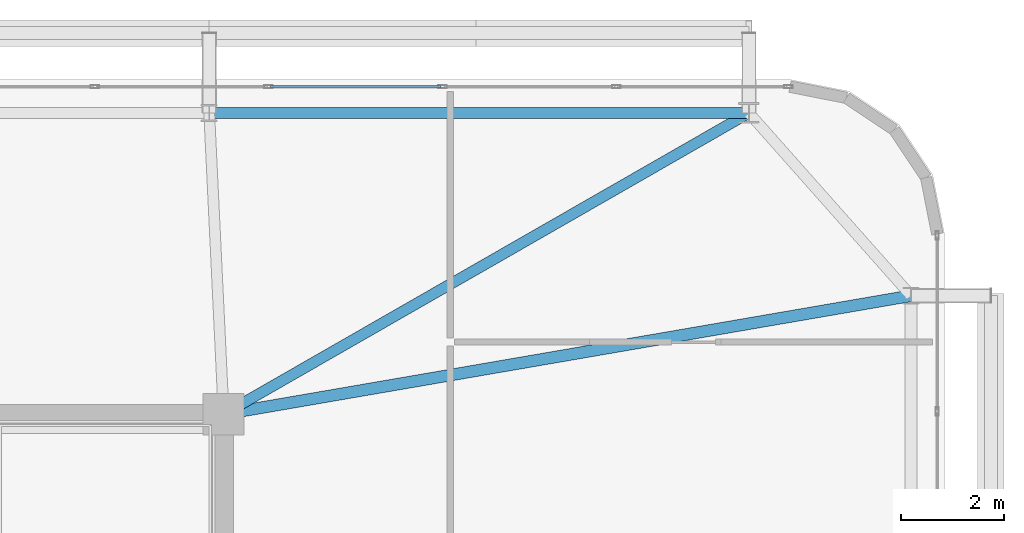
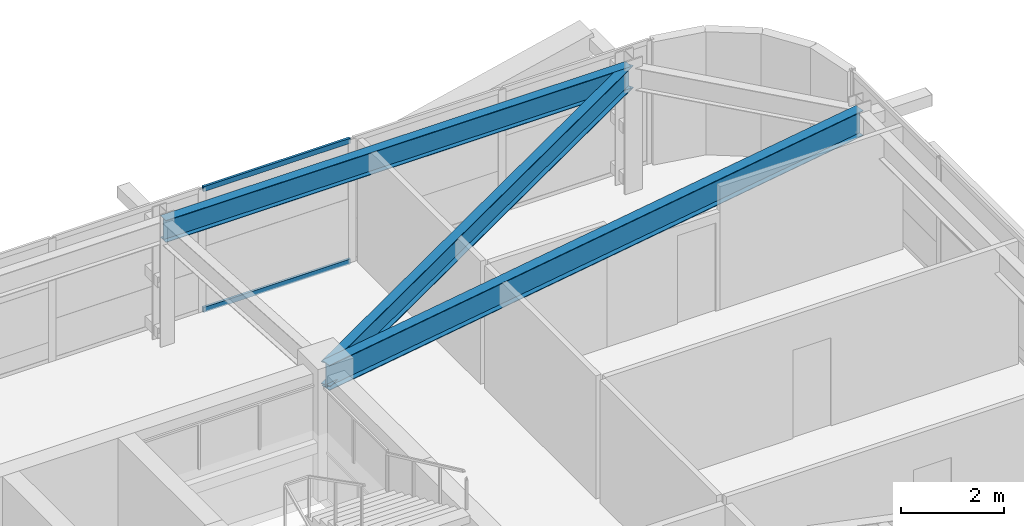
# One storey, part 39 of 59: 3 beams, 2 members, 1 element without a shape of its own.
"""IFC4 building model written with IfcOpenShell, lengths in metres."""

import ifcopenshell
import ifcopenshell.guid

model = None  # the IFC model being written
_history = None  # IfcOwnerHistory: only IFC2X3 demands one
_inside = {}  # id of a spatial element -> (the spatial element, [elements in it])
_under = {}  # id of a project, library or spatial element -> (it, [spatial elements below it])
_declared = {}  # id of a project -> (the project, [libraries it declares])
_typed = {}  # id of a type object -> (the type object, [elements of that type])
_made_of = {}  # id of a material, layer set ... -> (it, [elements and type objects made of it])


def new_model(schema):
    """Start an empty IFC model of exactly this schema.

    Asked for "IFC4X3", IfcOpenShell would pick the latest addendum, in which some entities
    have other attributes; the version numbers below select the first issue.
    IFC2X3 requires an IfcOwnerHistory on every rooted entity: one is made here for all.
    """
    global model, _history
    if schema == "IFC4X3":
        model = ifcopenshell.file(schema_version=(4, 3, 0, 0))
    else:
        model = ifcopenshell.file(schema=schema)
    _inside.clear()
    _under.clear()
    _declared.clear()
    _typed.clear()
    _made_of.clear()
    _history = None
    if model.schema == "IFC2X3":
        org = make("IfcOrganization", Name="unknown")
        user = make(
            "IfcPersonAndOrganization",
            ThePerson=make("IfcPerson", FamilyName="unknown"),
            TheOrganization=org,
        )
        app = make(
            "IfcApplication",
            ApplicationDeveloper=org,
            Version="unknown",
            ApplicationFullName="unknown",
            ApplicationIdentifier="unknown",
        )
        _history = make(
            "IfcOwnerHistory",
            OwningUser=user,
            OwningApplication=app,
            ChangeAction="ADDED",
            CreationDate=0,
        )
    return model


def make(cls, **values):
    """One entity of the class cls with the attributes given. An attribute that is None is left unset."""
    return model.create_entity(
        cls, **{name: value for name, value in values.items() if value is not None}
    )


def rooted(cls, **values):
    """An entity with a GlobalId (a new one), such as an element, a storey or a relation."""
    return make(cls, GlobalId=ifcopenshell.guid.new(), OwnerHistory=_history, **values)


def si_unit(unit_type, name, prefix=None):
    """IfcSIUnit, for example si_unit("LENGTHUNIT", "METRE", prefix="MILLI")."""
    return make("IfcSIUnit", UnitType=unit_type, Prefix=prefix, Name=name)


def assignment(units):
    """IfcUnitAssignment: the units of a project."""
    return None if units is None else make("IfcUnitAssignment", Units=units)


def point(xyz):
    """IfcCartesianPoint."""
    return None if xyz is None else make("IfcCartesianPoint", Coordinates=xyz)


def direction(xyz):
    """IfcDirection."""
    return None if xyz is None else make("IfcDirection", DirectionRatios=xyz)


def frame(location, z_axis=None, x_axis=None):
    """IfcAxis2Placement3D, a coordinate frame: its origin and axes. An axis left out is left unset."""
    return make(
        "IfcAxis2Placement3D",
        Location=point(location),
        Axis=direction(z_axis),
        RefDirection=direction(x_axis),
    )


def frame_2d(location, x_axis=None):
    """IfcAxis2Placement2D, a coordinate frame in the plane: its origin and x axis."""
    return make(
        "IfcAxis2Placement2D", Location=point(location), RefDirection=direction(x_axis)
    )


def origin():
    """The frame at (0, 0, 0) with its axes left unset."""
    return frame((0.0, 0.0, 0.0))


def origin_2d():
    """The frame at (0, 0) in the plane with its x axis left unset."""
    return frame_2d((0.0, 0.0))


def place(relative_to, where):
    """IfcLocalPlacement: puts the frame where relative to a parent placement (None: the world)."""
    return make(
        "IfcLocalPlacement", PlacementRelTo=relative_to, RelativePlacement=where
    )


def context(
    kind, dimensions, precision=None, world=None, true_north=None, identifier=None
):
    """IfcGeometricRepresentationContext, for example the 3D "Model" context."""
    return make(
        "IfcGeometricRepresentationContext",
        ContextIdentifier=identifier,
        ContextType=kind,
        CoordinateSpaceDimension=dimensions,
        Precision=precision,
        WorldCoordinateSystem=world,
        TrueNorth=true_north,
    )


def subcontext(parent, identifier, kind, view, scale=None):
    """IfcGeometricRepresentationSubContext, for example "Body" below "Model"."""
    return make(
        "IfcGeometricRepresentationSubContext",
        ContextIdentifier=identifier,
        ContextType=kind,
        ParentContext=parent,
        TargetScale=scale,
        TargetView=view,
    )


def project(units=None, contexts=None):
    """IfcProject with its units and contexts."""
    return rooted(
        "IfcProject",
        Name="project",
        RepresentationContexts=contexts,
        UnitsInContext=assignment(units),
    )


def spatial(cls, under=None, at=None, **own):
    """A site, building, storey or space (cls), placed at a placement, below another one or the project."""
    s = rooted(cls, ObjectPlacement=at, **own)
    if under is not None:
        _under.setdefault(under.id(), (under, []))[1].append(s)
    return s


def profile(cls, at=None, kind="AREA", **sizes):
    """A parametric profile (cls). Its sizes go by their IFC names, for example OverallWidth=200.0."""
    return make(cls, ProfileType=kind, Position=at, **sizes)


def hollow_rectangle(**sizes):
    """IfcRectangleHollowProfileDef."""
    return profile("IfcRectangleHollowProfileDef", **sizes)


def i_section(**sizes):
    """IfcIShapeProfileDef."""
    return profile("IfcIShapeProfileDef", **sizes)


def extrude(swept, where, along, depth):
    """IfcExtrudedAreaSolid: the profile swept, set in the frame where, extruded along a direction by depth."""
    return make(
        "IfcExtrudedAreaSolid",
        SweptArea=swept,
        Position=where,
        ExtrudedDirection=direction(along),
        Depth=depth,
    )


def shape(context_of_items, identifier, shape_type, items):
    """IfcShapeRepresentation: the items that make up one representation, for example the "Body"."""
    return make(
        "IfcShapeRepresentation",
        ContextOfItems=context_of_items,
        RepresentationIdentifier=identifier,
        RepresentationType=shape_type,
        Items=items,
    )


def source(mapping_origin, context_of_items, identifier, shape_type, items):
    """IfcRepresentationMap: a shape defined once, which mapped items show again and again."""
    return make(
        "IfcRepresentationMap",
        MappingOrigin=mapping_origin,
        MappedRepresentation=shape(context_of_items, identifier, shape_type, items),
    )


def transform(
    local_origin,
    x_axis=None,
    y_axis=None,
    z_axis=None,
    scale=None,
    scale2=None,
    scale3=None,
    uniform=True,
):
    """IfcCartesianTransformationOperator3D, or its non-uniform kind. x_axis, y_axis, z_axis: its Axis1, 2, 3."""
    if uniform:
        return make(
            "IfcCartesianTransformationOperator3D",
            Axis1=direction(x_axis),
            Axis2=direction(y_axis),
            LocalOrigin=point(local_origin),
            Scale=scale,
            Axis3=direction(z_axis),
        )
    return make(
        "IfcCartesianTransformationOperator3DnonUniform",
        Axis1=direction(x_axis),
        Axis2=direction(y_axis),
        LocalOrigin=point(local_origin),
        Scale=scale,
        Axis3=direction(z_axis),
        Scale2=scale2,
        Scale3=scale3,
    )


def mapped(mapping_source, mapping_target):
    """IfcMappedItem: shows the shape of a source again, moved by a transform."""
    return make(
        "IfcMappedItem", MappingSource=mapping_source, MappingTarget=mapping_target
    )


def material(Name=None, Category=None):
    """IfcMaterial."""
    return make("IfcMaterial", Name=Name, Category=Category)


def layer(
    of_material, thickness, ventilated=None, Name=None, Category=None, Priority=None
):
    """IfcMaterialLayer: one layer of a wall or slab, of a material (None: an air gap)."""
    return make(
        "IfcMaterialLayer",
        Material=of_material,
        LayerThickness=thickness,
        IsVentilated=ventilated,
        Name=Name,
        Category=Category,
        Priority=Priority,
    )


def layer_set(layers, Name=None):
    """IfcMaterialLayerSet."""
    return make("IfcMaterialLayerSet", MaterialLayers=layers, LayerSetName=Name)


def material_profile(
    of_material, cross_section, Name=None, Category=None, Priority=None
):
    """IfcMaterialProfile: a cross section and its material."""
    return make(
        "IfcMaterialProfile",
        Name=Name,
        Material=of_material,
        Profile=cross_section,
        Priority=Priority,
        Category=Category,
    )


def profile_set(profiles, Name=None, composite=None):
    """IfcMaterialProfileSet."""
    return make(
        "IfcMaterialProfileSet",
        Name=Name,
        MaterialProfiles=profiles,
        CompositeProfile=composite,
    )


def made_of(thing, what):
    """Note that an element or type object is made of a material, layer set ...; save() writes the relation."""
    if what is not None:
        _made_of.setdefault(what.id(), (what, []))[1].append(thing)
    return thing


def type_object(cls, material=None, **own):
    """A type object (cls), such as IfcWallType, which elements share."""
    return made_of(rooted(cls, **own), material)


def element(
    cls,
    number,
    at=None,
    inside=None,
    cuts=None,
    type_object=None,
    material=None,
    context=None,
    identifier="Body",
    shape_type=None,
    held_by="IfcProductDefinitionShape",
    body=None,
    shapes=None,
    **own,
):
    """One element of the class cls, such as IfcWall. Its Tag is "e" and its number.

    at: its placement. inside: the storey or other place that contains it. cuts: it is an
    opening in that element (IfcRelVoidsElement). A single representation is given by context,
    identifier, shape_type and body (its items); several are given by shapes. held_by: the class
    of the entity that holds the representations. save() writes the other relations.
    """
    e = rooted(cls, Tag="e%d" % number, ObjectPlacement=at, **own)
    if body is not None:
        shapes = [shape(context, identifier, shape_type, body)]
    if shapes is not None:
        e.Representation = make(held_by, Representations=shapes)
    if inside is not None:
        _inside.setdefault(inside.id(), (inside, []))[1].append(e)
    if cuts is not None:
        rooted(
            "IfcRelVoidsElement", RelatingBuildingElement=cuts, RelatedOpeningElement=e
        )
    if type_object is not None:
        _typed.setdefault(type_object.id(), (type_object, []))[1].append(e)
    return made_of(e, material)


def aggregate(whole, parts):
    """IfcRelAggregates: a whole, such as a stair, and the parts it consists of."""
    return rooted("IfcRelAggregates", RelatingObject=whole, RelatedObjects=parts)


def save(model, path):
    """Write the relations noted so far, then the file.

    IfcRelAggregates (storeys below a building ...), IfcRelContainedInSpatialStructure (elements
    in a storey), IfcRelDefinesByType, IfcRelAssociatesMaterial and IfcRelDeclares: one each for
    every whole, place, type object, material and project.
    """
    for whole, parts in _under.values():
        aggregate(whole, parts)
    for where, things in _inside.values():
        rooted(
            "IfcRelContainedInSpatialStructure",
            RelatedElements=things,
            RelatingStructure=where,
        )
    for kind, things in _typed.values():
        rooted("IfcRelDefinesByType", RelatedObjects=things, RelatingType=kind)
    for what, things in _made_of.values():
        rooted("IfcRelAssociatesMaterial", RelatedObjects=things, RelatingMaterial=what)
    for by, libraries in _declared.values():
        rooted("IfcRelDeclares", RelatingContext=by, RelatedDefinitions=libraries)
    model.write(path)


model = new_model("IFC4")

# Units and contexts
model_context = context("Model", 3, precision=1e-05, world=origin(), true_north=direction((0.0, 1.0)))
body_context = subcontext(model_context, "Body", "Model", "MODEL_VIEW")
ifc_project = project(units=[si_unit("LENGTHUNIT", "METRE"), si_unit("AREAUNIT", "SQUARE_METRE"), si_unit("VOLUMEUNIT", "CUBIC_METRE"), si_unit("PLANEANGLEUNIT", "RADIAN"), si_unit("MASSUNIT", "GRAM", prefix="KILO")], contexts=[model_context])

# Site, building, storey
site_placement = place(None, origin())
site = spatial("IfcSite", under=ifc_project, at=site_placement, CompositionType="ELEMENT")
building_placement = place(site_placement, origin())
building = spatial("IfcBuilding", under=site, at=building_placement, Name="Taldren Reach Tower", CompositionType="ELEMENT")
storey_placement = place(building_placement, frame((0.0, 0.0, 23.10009765625)))
storey = spatial("IfcBuildingStorey", under=building, at=storey_placement, Name="L06", CompositionType="ELEMENT", Elevation=23.10009765625)

# Beams
ifc_material_1 = material(Name="Steel Gr 350 (350PLUS)", Category="steel")
ifc_material_profile_1 = material_profile(ifc_material_1, i_section(OverallWidth=0.208984375, OverallDepth=0.528076171875, WebThickness=0.009521484375, FlangeThickness=0.01318359375, at=origin_2d()), Name="530UB82.0")
ifc_profile_set_1 = profile_set([ifc_material_profile_1], Name="Steel Gr 350 (350PLUS)")
beam_type_1 = type_object("IfcBeamType", Name="SP-UB530B", PredefinedType="SPANDREL", material=ifc_profile_set_1)
shared_shape_1 = source(origin(), body_context, "Body", "SweptSolid", [
    extrude(i_section(OverallWidth=0.208984375, OverallDepth=0.528076171875, WebThickness=0.009521484375, FlangeThickness=0.01318359375, at=origin_2d()), origin(), (0.0, 0.0, 1.0), 10.47998046875),
])
beam_1_placement = place(storey_placement, frame((61.199951171875, 37.85009765625, 2.666015625), z_axis=(-1.0, 0.0, 0.0), x_axis=(0.0, -1.0, 0.0)))
element("IfcBeam", 1, at=beam_1_placement, inside=storey, type_object=beam_type_1, Name="Perimeter spandrel B1 N6-N5 L06", PredefinedType="SPANDREL", context=body_context, shape_type="MappedRepresentation", body=[
    mapped(shared_shape_1, transform((0.0, 0.0, 0.0), scale=1.0)),
])
ifc_material_profile_2 = material_profile(ifc_material_1, i_section(OverallWidth=0.22802734375, OverallDepth=0.60205078125, WebThickness=0.010498046875, FlangeThickness=0.014892578125, at=origin_2d()), Name="610UB101")
ifc_profile_set_2 = profile_set([ifc_material_profile_2], Name="Steel Gr 350 (350PLUS)")
beam_type_2 = type_object("IfcBeamType", Name="BM-UB610B", PredefinedType="BEAM", material=ifc_profile_set_2)
shared_shape_2 = source(origin(), body_context, "Body", "SweptSolid", [
    extrude(i_section(OverallWidth=0.22802734375, OverallDepth=0.60205078125, WebThickness=0.010498046875, FlangeThickness=0.014892578125, at=origin_2d()), origin(), (0.0, 0.0, 1.0), 13.546875),
])
beam_2_placement = place(storey_placement, frame((51.0, 32.0, 2.62890625), z_axis=(0.985481022998, 0.169785609847, 0.0), x_axis=(-0.169785609847, 0.985481022998, 0.0)))
element("IfcBeam", 2, at=beam_2_placement, inside=storey, type_object=beam_type_2, Name="Primary floor girder B1-E3 L06", PredefinedType="BEAM", context=body_context, shape_type="MappedRepresentation", body=[
    mapped(shared_shape_2, transform((0.0, 0.0, 0.0), scale=1.0)),
])
ifc_material_profile_3 = material_profile(ifc_material_1, i_section(OverallWidth=0.208984375, OverallDepth=0.532958984375, WebThickness=0.01025390625, FlangeThickness=0.015625, at=origin_2d()), Name="530UB92.4")
ifc_profile_set_3 = profile_set([ifc_material_profile_3], Name="Steel Gr 350 (350PLUS)")
beam_type_3 = type_object("IfcBeamType", Name="BM-UB530A", PredefinedType="BEAM", material=ifc_profile_set_3)
shared_shape_3 = source(origin(), body_context, "Body", "SweptSolid", [
    extrude(i_section(OverallWidth=0.208984375, OverallDepth=0.532958984375, WebThickness=0.01025390625, FlangeThickness=0.015625, at=origin_2d()), origin(), (0.0, 0.0, 1.0), 11.758544921875),
])
beam_3_placement = place(storey_placement, frame((51.0, 32.0, 2.663330078125), z_axis=(0.867452414141, 0.497520159593, 0.0), x_axis=(-0.497520159593, 0.867452414141, 0.0)))
element("IfcBeam", 3, at=beam_3_placement, inside=storey, type_object=beam_type_3, Name="Primary floor girder B1-N6 L06", PredefinedType="BEAM", context=body_context, shape_type="MappedRepresentation", body=[
    mapped(shared_shape_3, transform((0.0, 0.0, 0.0), scale=1.0)),
])

# Curtain wall, members
ifc_material_2 = material(Name="Aluminium and Low-E Glass Unitised System", Category="aluminium")
ifc_layer = layer(ifc_material_2, 0.159912109375)
ifc_layer_set = layer_set([ifc_layer], Name="Aluminium and Low-E Glass Unitised System")
curtain_wall_type = type_object("IfcCurtainWallType", Name="CW-SYS-2", PredefinedType="NOTDEFINED", material=ifc_layer_set)
curtain_wall_placement = place(storey_placement, origin())
curtain_wall = element("IfcCurtainWall", 4, at=curtain_wall_placement, inside=storey, type_object=curtain_wall_type, Name="Unitised curtain wall CW-L06-N", PredefinedType="NOTDEFINED")
ifc_material_3 = material(Name="Anodised Aluminium 6063-T6", Category="aluminium")
ifc_material_profile_4 = material_profile(ifc_material_3, hollow_rectangle(XDim=0.054931640625, YDim=0.1201171875, WallThickness=0.0029296875, at=origin_2d()), Name="ALU-120x55x3RHS")
ifc_profile_set_4 = profile_set([ifc_material_profile_4], Name="Anodised Aluminium 6063-T6")
member_type = type_object("IfcMemberType", Name="CW-TRN-135", PredefinedType="USERDEFINED", material=ifc_profile_set_4)
shared_shape_4 = source(origin(), body_context, "Body", "SweptSolid", [
    extrude(hollow_rectangle(XDim=0.054931640625, YDim=0.1201171875, WallThickness=0.0029296875, at=origin_2d()), origin(), (0.0, 0.0, 1.0), 3.31005859375),
])
member_1_placement = place(storey_placement, frame((55.217529296875, 38.360107421875, 0.02734375), z_axis=(-1.0, 0.0, 0.0), x_axis=(0.0, -1.0, 0.0)))
member_1 = element("IfcMember", 5, at=member_1_placement, type_object=member_type, Name="CW-2 transom 3.1", ObjectType="TRANSOM", PredefinedType="USERDEFINED", context=body_context, shape_type="MappedRepresentation", body=[
    mapped(shared_shape_4, transform((0.0, 0.0, 0.0), scale=1.0)),
])
member_2_placement = place(storey_placement, frame((55.217529296875, 38.360107421875, 2.90234375), z_axis=(-1.0, 0.0, 0.0), x_axis=(0.0, -1.0, 0.0)))
member_2 = element("IfcMember", 6, at=member_2_placement, type_object=member_type, Name="CW-2 transom 3.2", ObjectType="TRANSOM", PredefinedType="USERDEFINED", context=body_context, shape_type="MappedRepresentation", body=[
    mapped(shared_shape_4, transform((0.0, 0.0, 0.0), scale=1.0)),
])
aggregate(curtain_wall, [member_1, member_2])

save(model, "model.ifc")
